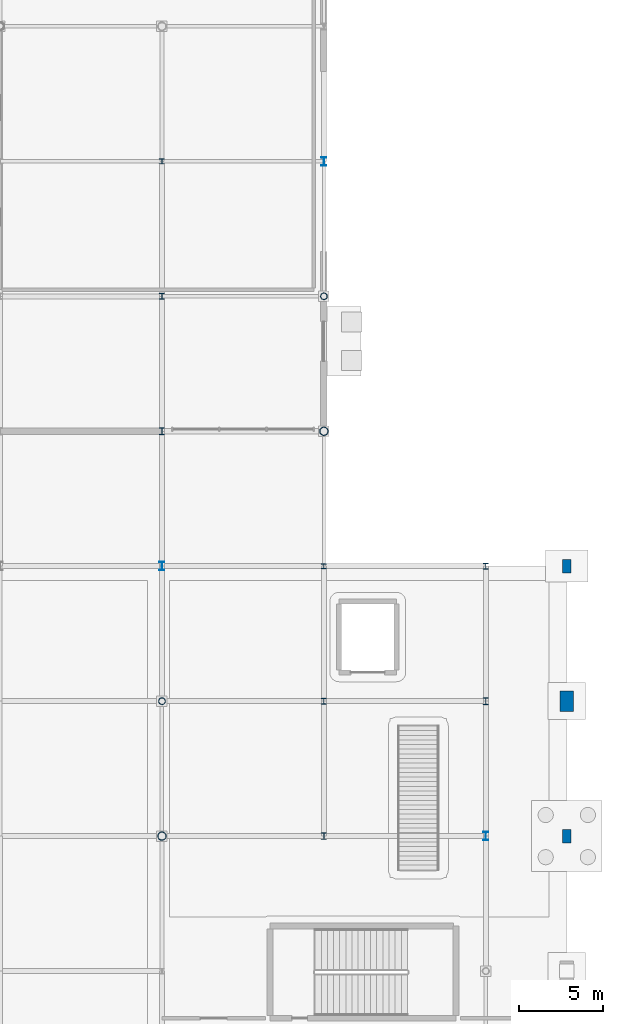
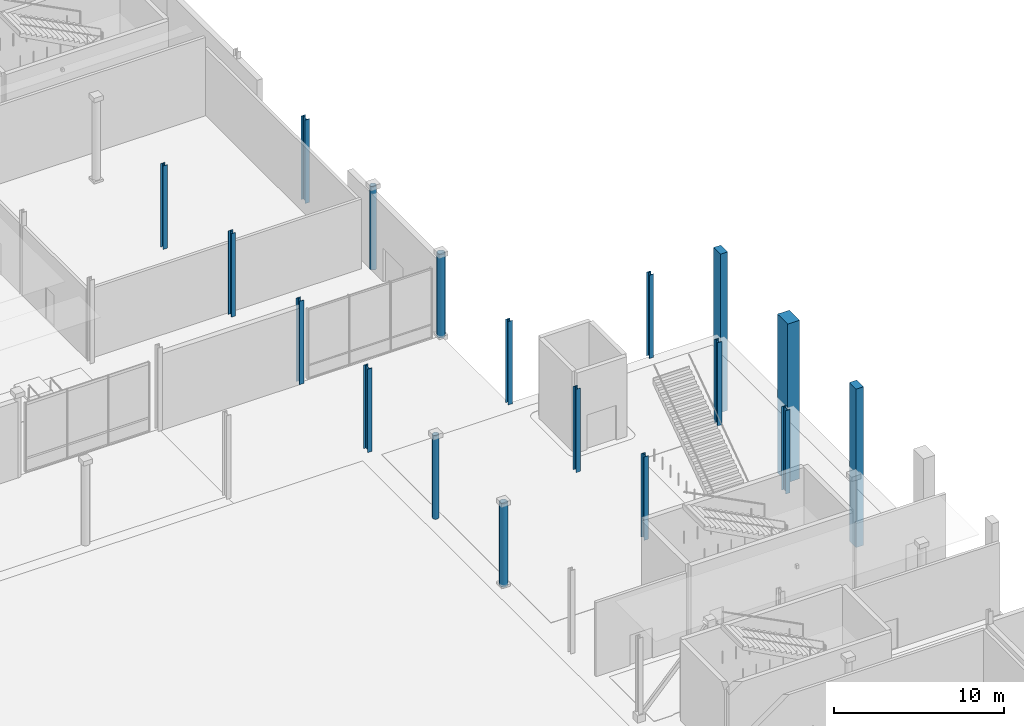
# One storey, part 27 of 124: 18 columns.
"""IFC4 building model written with IfcOpenShell, lengths in metres."""

from ifc_helpers import new_model, si_unit, direction, frame, origin, origin_2d, place, context, subcontext, project, spatial, rectangle, hollow_circle, i_section, extrude, material, material_profile, profile_set, type_object, element, save


model = new_model("IFC4")

# Units and contexts
model_context = context("Model", 3, precision=1e-05, world=origin(), true_north=direction((0.0, 1.0)))
body_context = subcontext(model_context, "Body", "Model", "MODEL_VIEW")
ifc_project = project(units=[si_unit("LENGTHUNIT", "METRE"), si_unit("AREAUNIT", "SQUARE_METRE"), si_unit("VOLUMEUNIT", "CUBIC_METRE"), si_unit("PLANEANGLEUNIT", "RADIAN"), si_unit("MASSUNIT", "GRAM", prefix="KILO")], contexts=[model_context])

# Site, building, storey
site_placement = place(None, origin())
site = spatial("IfcSite", under=ifc_project, at=site_placement, CompositionType="ELEMENT")
building_placement = place(site_placement, origin())
building = spatial("IfcBuilding", under=site, at=building_placement, Name="Danafjord Basin Convention Centre", CompositionType="ELEMENT")
storey_placement = place(building_placement, origin())
storey = spatial("IfcBuildingStorey", under=building, at=storey_placement, Name="L00", CompositionType="ELEMENT", Elevation=0.0)

# Columns
ifc_material_1 = material(Name="Steel S355", Category="steel")
ifc_material_profile_1 = material_profile(ifc_material_1, hollow_circle(Radius=0.203125, WallThickness=0.02001953125, at=origin_2d()), Name="CHS 406.4x20.0")
ifc_profile_set_1 = profile_set([ifc_material_profile_1], Name="Steel S355")
column_type_1 = type_object("IfcColumnType", Name="COL-C-CHS406", PredefinedType="COLUMN", material=ifc_profile_set_1)
for number, where, z_axis, x_axis, name in (
    (1, (192.0, 72.0, 0.0), (0.0, 0.0, 1.0), (1.0, 0.0, 0.0), "L00 column C-CHS406 at (192.0, 72.0)"),
    (2, (201.60009765625, 96.0, 0.0), (0.0, 0.0, 1.0), (1.0, 0.0, 0.0), "L00 column C-CHS406 at (201.6, 96.0)"),
):
    element("IfcColumn", number, at=place(storey_placement, frame(where, z_axis=z_axis, x_axis=x_axis)), inside=storey, type_object=column_type_1, Name=name, PredefinedType="COLUMN", context=body_context, shape_type="SweptSolid", body=[
        extrude(hollow_circle(Radius=0.203125, WallThickness=0.02001953125, at=origin_2d()), origin(), (0.0, 0.0, 1.0), 6.0),
    ])
ifc_material_profile_2 = material_profile(ifc_material_1, hollow_circle(Radius=0.25390625, WallThickness=0.02490234375, at=origin_2d()), Name="CHS 508.0x25.0")
ifc_profile_set_2 = profile_set([ifc_material_profile_2], Name="Steel S355")
column_type_2 = type_object("IfcColumnType", Name="COL-C-CHS508", PredefinedType="COLUMN", material=ifc_profile_set_2)
for number, where, z_axis, x_axis, name in (
    (3, (192.0, 64.0, 0.0), (0.0, 0.0, 1.0), (1.0, 0.0, 0.0), "L00 column C-CHS508 at (192.0, 64.0)"),
    (4, (201.60009765625, 88.0, 0.0), (0.0, 0.0, 1.0), (1.0, 0.0, 0.0), "L00 column C-CHS508 at (201.6, 88.0)"),
):
    element("IfcColumn", number, at=place(storey_placement, frame(where, z_axis=z_axis, x_axis=x_axis)), inside=storey, type_object=column_type_2, Name=name, PredefinedType="COLUMN", context=body_context, shape_type="SweptSolid", body=[
        extrude(hollow_circle(Radius=0.25390625, WallThickness=0.02490234375, at=origin_2d()), origin(), (0.0, 0.0, 1.0), 6.0),
    ])
ifc_material_profile_3 = material_profile(ifc_material_1, i_section(OverallWidth=0.300048828125, OverallDepth=0.300048828125, WebThickness=0.010986328125, FlangeThickness=0.01904296875, FilletRadius=0.027099609375, at=origin_2d()), Name="HEB 300")
ifc_profile_set_3 = profile_set([ifc_material_profile_3], Name="Steel S355")
column_type_3 = type_object("IfcColumnType", Name="COL-C-HEB300", PredefinedType="COLUMN", material=ifc_profile_set_3)
for number, where, z_axis, x_axis, name in (
    (5, (192.0, 104.0, 0.0), (0.0, 0.0, 1.0), (1.0, 0.0, 0.0), "L00 column C-HEB300 at (192.0, 104.0)"),
    (6, (201.60009765625, 80.0, 0.0), (0.0, 0.0, 1.0), (1.0, 0.0, 0.0), "L00 column C-HEB300 at (201.6, 80.0)"),
):
    element("IfcColumn", number, at=place(storey_placement, frame(where, z_axis=z_axis, x_axis=x_axis)), inside=storey, type_object=column_type_3, Name=name, PredefinedType="COLUMN", context=body_context, shape_type="SweptSolid", body=[
        extrude(i_section(OverallWidth=0.300048828125, OverallDepth=0.300048828125, WebThickness=0.010986328125, FlangeThickness=0.01904296875, FilletRadius=0.027099609375, at=origin_2d()), origin(), (0.0, 0.0, 1.0), 6.0),
    ])
ifc_material_profile_4 = material_profile(ifc_material_1, i_section(OverallWidth=0.300048828125, OverallDepth=0.360107421875, WebThickness=0.012451171875, FlangeThickness=0.0224609375, FilletRadius=0.027099609375, at=origin_2d()), Name="HEB 360")
ifc_profile_set_4 = profile_set([ifc_material_profile_4], Name="Steel S355")
column_type_4 = type_object("IfcColumnType", Name="COL-C-HEB360", PredefinedType="COLUMN", material=ifc_profile_set_4)
for number, where, z_axis, x_axis, name in (
    (7, (192.0, 96.0, 0.0), (0.0, 0.0, 1.0), (1.0, 0.0, 0.0), "L00 column C-HEB360 at (192.0, 96.0)"),
    (8, (201.60009765625, 72.0, 0.0), (0.0, 0.0, 1.0), (1.0, 0.0, 0.0), "L00 column C-HEB360 at (201.6, 72.0)"),
    (9, (211.199951171875, 80.0, 0.0), (0.0, 0.0, 1.0), (1.0, 0.0, 0.0), "L00 column C-HEB360 at (211.2, 80.0)"),
):
    element("IfcColumn", number, at=place(storey_placement, frame(where, z_axis=z_axis, x_axis=x_axis)), inside=storey, type_object=column_type_4, Name=name, PredefinedType="COLUMN", context=body_context, shape_type="SweptSolid", body=[
        extrude(i_section(OverallWidth=0.300048828125, OverallDepth=0.360107421875, WebThickness=0.012451171875, FlangeThickness=0.0224609375, FilletRadius=0.027099609375, at=origin_2d()), origin(), (0.0, 0.0, 1.0), 6.0),
    ])
ifc_material_profile_5 = material_profile(ifc_material_1, i_section(OverallWidth=0.300048828125, OverallDepth=0.39990234375, WebThickness=0.013427734375, FlangeThickness=0.02392578125, FilletRadius=0.027099609375, at=origin_2d()), Name="HEB 400")
ifc_profile_set_5 = profile_set([ifc_material_profile_5], Name="Steel S355")
column_type_5 = type_object("IfcColumnType", Name="COL-C-HEB400", PredefinedType="COLUMN", material=ifc_profile_set_5)
for number, where, z_axis, x_axis, name in (
    (10, (192.0, 88.0, 0.0), (0.0, 0.0, 1.0), (1.0, 0.0, 0.0), "L00 column C-HEB400 at (192.0, 88.0)"),
    (11, (201.60009765625, 64.0, 0.0), (0.0, 0.0, 1.0), (1.0, 0.0, 0.0), "L00 column C-HEB400 at (201.6, 64.0)"),
    (12, (211.199951171875, 72.0, 0.0), (0.0, 0.0, 1.0), (1.0, 0.0, 0.0), "L00 column C-HEB400 at (211.2, 72.0)"),
):
    element("IfcColumn", number, at=place(storey_placement, frame(where, z_axis=z_axis, x_axis=x_axis)), inside=storey, type_object=column_type_5, Name=name, PredefinedType="COLUMN", context=body_context, shape_type="SweptSolid", body=[
        extrude(i_section(OverallWidth=0.300048828125, OverallDepth=0.39990234375, WebThickness=0.013427734375, FlangeThickness=0.02392578125, FilletRadius=0.027099609375, at=origin_2d()), origin(), (0.0, 0.0, 1.0), 6.0),
    ])
ifc_material_profile_6 = material_profile(ifc_material_1, i_section(OverallWidth=0.300048828125, OverallDepth=0.5, WebThickness=0.014404296875, FlangeThickness=0.028076171875, FilletRadius=0.027099609375, at=origin_2d()), Name="HEB 500")
ifc_profile_set_6 = profile_set([ifc_material_profile_6], Name="Steel S355")
column_type_6 = type_object("IfcColumnType", Name="COL-C-HEB500", PredefinedType="COLUMN", material=ifc_profile_set_6)
for number, where, z_axis, x_axis, name in (
    (13, (192.0, 80.0, 0.0), (0.0, 0.0, 1.0), (1.0, 0.0, 0.0), "L00 column C-HEB500 at (192.0, 80.0)"),
    (14, (201.60009765625, 104.0, 0.0), (0.0, 0.0, 1.0), (1.0, 0.0, 0.0), "L00 column C-HEB500 at (201.6, 104.0)"),
    (15, (211.199951171875, 64.0, 0.0), (0.0, 0.0, 1.0), (1.0, 0.0, 0.0), "L00 column C-HEB500 at (211.2, 64.0)"),
):
    element("IfcColumn", number, at=place(storey_placement, frame(where, z_axis=z_axis, x_axis=x_axis)), inside=storey, type_object=column_type_6, Name=name, PredefinedType="COLUMN", context=body_context, shape_type="SweptSolid", body=[
        extrude(i_section(OverallWidth=0.300048828125, OverallDepth=0.5, WebThickness=0.014404296875, FlangeThickness=0.028076171875, FilletRadius=0.027099609375, at=origin_2d()), origin(), (0.0, 0.0, 1.0), 6.0),
    ])
ifc_material_2 = material(Name="Precast concrete C45/55", Category="concrete")
ifc_material_profile_7 = material_profile(ifc_material_2, rectangle(XDim=0.800048828125, YDim=1.199951171875, at=origin_2d()), Name="RC 1200x800")
ifc_profile_set_7 = profile_set([ifc_material_profile_7], Name="Precast concrete C45/55")
column_type_7 = type_object("IfcColumnType", Name="COL-C-PIL1200", PredefinedType="PILASTER", material=ifc_profile_set_7)
column_placement = place(storey_placement, frame((216.0, 72.0, -5.39990234375), z_axis=(0.0, 0.0, 1.0), x_axis=(1.0, 0.0, 0.0)))
element("IfcColumn", 16, at=column_placement, inside=storey, type_object=column_type_7, Name="L00 column C-PIL1200 at (216.0, 72.0)", PredefinedType="PILASTER", context=body_context, shape_type="SweptSolid", body=[
    extrude(rectangle(XDim=0.800048828125, YDim=1.199951171875, at=origin_2d()), origin(), (0.0, 0.0, 1.0), 11.39990234375),
])
ifc_material_profile_8 = material_profile(ifc_material_2, rectangle(XDim=0.5, YDim=0.800048828125, at=origin_2d()), Name="PCB 500x800")
ifc_profile_set_8 = profile_set([ifc_material_profile_8], Name="Precast concrete C45/55")
column_type_8 = type_object("IfcColumnType", Name="COL-C-PIL800", PredefinedType="PILASTER", material=ifc_profile_set_8)
for number, where, z_axis, x_axis, name in (
    (17, (216.0, 64.0, -5.39990234375), (0.0, 0.0, 1.0), (1.0, 0.0, 0.0), "L00 column C-PIL800 at (216.0, 64.0)"),
    (18, (216.0, 80.0, -5.39990234375), (0.0, 0.0, 1.0), (1.0, 0.0, 0.0), "L00 column C-PIL800 at (216.0, 80.0)"),
):
    element("IfcColumn", number, at=place(storey_placement, frame(where, z_axis=z_axis, x_axis=x_axis)), inside=storey, type_object=column_type_8, Name=name, PredefinedType="PILASTER", context=body_context, shape_type="SweptSolid", body=[
        extrude(rectangle(XDim=0.5, YDim=0.800048828125, at=origin_2d()), origin(), (0.0, 0.0, 1.0), 11.39990234375),
    ])

save(model, "model.ifc")
